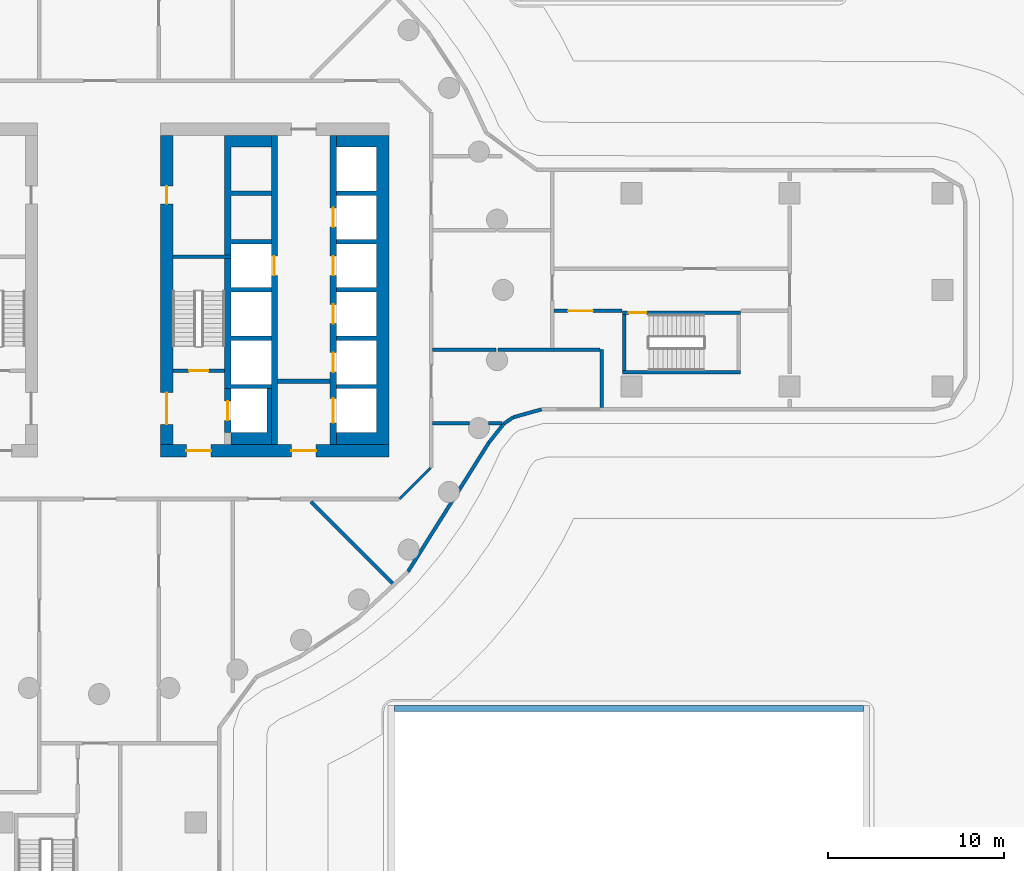
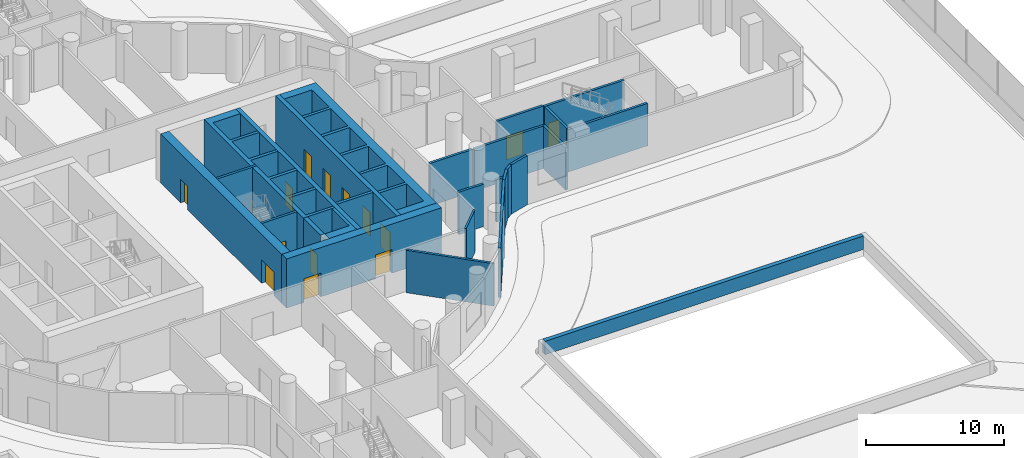
# One storey, part 25 of 37: 27 walls, 14 doors, 14 openings.
"""IFC4 building model written with IfcOpenShell, lengths in metres."""

import ifcopenshell
import ifcopenshell.guid

model = None  # the IFC model being written
_history = None  # IfcOwnerHistory: only IFC2X3 demands one
_inside = {}  # id of a spatial element -> (the spatial element, [elements in it])
_under = {}  # id of a project, library or spatial element -> (it, [spatial elements below it])
_declared = {}  # id of a project -> (the project, [libraries it declares])
_typed = {}  # id of a type object -> (the type object, [elements of that type])
_made_of = {}  # id of a material, layer set ... -> (it, [elements and type objects made of it])


def new_model(schema):
    """Start an empty IFC model of exactly this schema.

    Asked for "IFC4X3", IfcOpenShell would pick the latest addendum, in which some entities
    have other attributes; the version numbers below select the first issue.
    IFC2X3 requires an IfcOwnerHistory on every rooted entity: one is made here for all.
    """
    global model, _history
    if schema == "IFC4X3":
        model = ifcopenshell.file(schema_version=(4, 3, 0, 0))
    else:
        model = ifcopenshell.file(schema=schema)
    _inside.clear()
    _under.clear()
    _declared.clear()
    _typed.clear()
    _made_of.clear()
    _history = None
    if model.schema == "IFC2X3":
        org = make("IfcOrganization", Name="unknown")
        user = make(
            "IfcPersonAndOrganization",
            ThePerson=make("IfcPerson", FamilyName="unknown"),
            TheOrganization=org,
        )
        app = make(
            "IfcApplication",
            ApplicationDeveloper=org,
            Version="unknown",
            ApplicationFullName="unknown",
            ApplicationIdentifier="unknown",
        )
        _history = make(
            "IfcOwnerHistory",
            OwningUser=user,
            OwningApplication=app,
            ChangeAction="ADDED",
            CreationDate=0,
        )
    return model


def make(cls, **values):
    """One entity of the class cls with the attributes given. An attribute that is None is left unset."""
    return model.create_entity(
        cls, **{name: value for name, value in values.items() if value is not None}
    )


def rooted(cls, **values):
    """An entity with a GlobalId (a new one), such as an element, a storey or a relation."""
    return make(cls, GlobalId=ifcopenshell.guid.new(), OwnerHistory=_history, **values)


def si_unit(unit_type, name, prefix=None):
    """IfcSIUnit, for example si_unit("LENGTHUNIT", "METRE", prefix="MILLI")."""
    return make("IfcSIUnit", UnitType=unit_type, Prefix=prefix, Name=name)


def assignment(units):
    """IfcUnitAssignment: the units of a project."""
    return None if units is None else make("IfcUnitAssignment", Units=units)


def point(xyz):
    """IfcCartesianPoint."""
    return None if xyz is None else make("IfcCartesianPoint", Coordinates=xyz)


def direction(xyz):
    """IfcDirection."""
    return None if xyz is None else make("IfcDirection", DirectionRatios=xyz)


def frame(location, z_axis=None, x_axis=None):
    """IfcAxis2Placement3D, a coordinate frame: its origin and axes. An axis left out is left unset."""
    return make(
        "IfcAxis2Placement3D",
        Location=point(location),
        Axis=direction(z_axis),
        RefDirection=direction(x_axis),
    )


def frame_2d(location, x_axis=None):
    """IfcAxis2Placement2D, a coordinate frame in the plane: its origin and x axis."""
    return make(
        "IfcAxis2Placement2D", Location=point(location), RefDirection=direction(x_axis)
    )


def origin():
    """The frame at (0, 0, 0) with its axes left unset."""
    return frame((0.0, 0.0, 0.0))


def place(relative_to, where):
    """IfcLocalPlacement: puts the frame where relative to a parent placement (None: the world)."""
    return make(
        "IfcLocalPlacement", PlacementRelTo=relative_to, RelativePlacement=where
    )


def context(
    kind, dimensions, precision=None, world=None, true_north=None, identifier=None
):
    """IfcGeometricRepresentationContext, for example the 3D "Model" context."""
    return make(
        "IfcGeometricRepresentationContext",
        ContextIdentifier=identifier,
        ContextType=kind,
        CoordinateSpaceDimension=dimensions,
        Precision=precision,
        WorldCoordinateSystem=world,
        TrueNorth=true_north,
    )


def subcontext(parent, identifier, kind, view, scale=None):
    """IfcGeometricRepresentationSubContext, for example "Body" below "Model"."""
    return make(
        "IfcGeometricRepresentationSubContext",
        ContextIdentifier=identifier,
        ContextType=kind,
        ParentContext=parent,
        TargetScale=scale,
        TargetView=view,
    )


def project(units=None, contexts=None):
    """IfcProject with its units and contexts."""
    return rooted(
        "IfcProject",
        Name="project",
        RepresentationContexts=contexts,
        UnitsInContext=assignment(units),
    )


def spatial(cls, under=None, at=None, **own):
    """A site, building, storey or space (cls), placed at a placement, below another one or the project."""
    s = rooted(cls, ObjectPlacement=at, **own)
    if under is not None:
        _under.setdefault(under.id(), (under, []))[1].append(s)
    return s


def polyline(points):
    """IfcPolyline through the points."""
    return make("IfcPolyline", Points=[point(p) for p in points])


def profile(cls, at=None, kind="AREA", **sizes):
    """A parametric profile (cls). Its sizes go by their IFC names, for example OverallWidth=200.0."""
    return make(cls, ProfileType=kind, Position=at, **sizes)


def rectangle(**sizes):
    """IfcRectangleProfileDef."""
    return profile("IfcRectangleProfileDef", **sizes)


def outline(outer, holes=None, kind="AREA"):
    """IfcArbitraryClosedProfileDef: a profile drawn as a closed curve; with holes, ...WithVoids."""
    if holes is None:
        return make("IfcArbitraryClosedProfileDef", ProfileType=kind, OuterCurve=outer)
    return make(
        "IfcArbitraryProfileDefWithVoids",
        ProfileType=kind,
        OuterCurve=outer,
        InnerCurves=holes,
    )


def extrude(swept, where, along, depth):
    """IfcExtrudedAreaSolid: the profile swept, set in the frame where, extruded along a direction by depth."""
    return make(
        "IfcExtrudedAreaSolid",
        SweptArea=swept,
        Position=where,
        ExtrudedDirection=direction(along),
        Depth=depth,
    )


def shape(context_of_items, identifier, shape_type, items):
    """IfcShapeRepresentation: the items that make up one representation, for example the "Body"."""
    return make(
        "IfcShapeRepresentation",
        ContextOfItems=context_of_items,
        RepresentationIdentifier=identifier,
        RepresentationType=shape_type,
        Items=items,
    )


def material(Name=None, Category=None):
    """IfcMaterial."""
    return make("IfcMaterial", Name=Name, Category=Category)


def layer(
    of_material, thickness, ventilated=None, Name=None, Category=None, Priority=None
):
    """IfcMaterialLayer: one layer of a wall or slab, of a material (None: an air gap)."""
    return make(
        "IfcMaterialLayer",
        Material=of_material,
        LayerThickness=thickness,
        IsVentilated=ventilated,
        Name=Name,
        Category=Category,
        Priority=Priority,
    )


def layer_set(layers, Name=None):
    """IfcMaterialLayerSet."""
    return make("IfcMaterialLayerSet", MaterialLayers=layers, LayerSetName=Name)


def made_of(thing, what):
    """Note that an element or type object is made of a material, layer set ...; save() writes the relation."""
    if what is not None:
        _made_of.setdefault(what.id(), (what, []))[1].append(thing)
    return thing


def type_object(cls, material=None, **own):
    """A type object (cls), such as IfcWallType, which elements share."""
    return made_of(rooted(cls, **own), material)


def element(
    cls,
    number,
    at=None,
    inside=None,
    cuts=None,
    type_object=None,
    material=None,
    context=None,
    identifier="Body",
    shape_type=None,
    held_by="IfcProductDefinitionShape",
    body=None,
    shapes=None,
    **own,
):
    """One element of the class cls, such as IfcWall. Its Tag is "e" and its number.

    at: its placement. inside: the storey or other place that contains it. cuts: it is an
    opening in that element (IfcRelVoidsElement). A single representation is given by context,
    identifier, shape_type and body (its items); several are given by shapes. held_by: the class
    of the entity that holds the representations. save() writes the other relations.
    """
    e = rooted(cls, Tag="e%d" % number, ObjectPlacement=at, **own)
    if body is not None:
        shapes = [shape(context, identifier, shape_type, body)]
    if shapes is not None:
        e.Representation = make(held_by, Representations=shapes)
    if inside is not None:
        _inside.setdefault(inside.id(), (inside, []))[1].append(e)
    if cuts is not None:
        rooted(
            "IfcRelVoidsElement", RelatingBuildingElement=cuts, RelatedOpeningElement=e
        )
    if type_object is not None:
        _typed.setdefault(type_object.id(), (type_object, []))[1].append(e)
    return made_of(e, material)


def fill(opening, filler):
    """IfcRelFillsElement: the door or window that sits in an opening."""
    return rooted(
        "IfcRelFillsElement",
        RelatingOpeningElement=opening,
        RelatedBuildingElement=filler,
    )


def aggregate(whole, parts):
    """IfcRelAggregates: a whole, such as a stair, and the parts it consists of."""
    return rooted("IfcRelAggregates", RelatingObject=whole, RelatedObjects=parts)


def save(model, path):
    """Write the relations noted so far, then the file.

    IfcRelAggregates (storeys below a building ...), IfcRelContainedInSpatialStructure (elements
    in a storey), IfcRelDefinesByType, IfcRelAssociatesMaterial and IfcRelDeclares: one each for
    every whole, place, type object, material and project.
    """
    for whole, parts in _under.values():
        aggregate(whole, parts)
    for where, things in _inside.values():
        rooted(
            "IfcRelContainedInSpatialStructure",
            RelatedElements=things,
            RelatingStructure=where,
        )
    for kind, things in _typed.values():
        rooted("IfcRelDefinesByType", RelatedObjects=things, RelatingType=kind)
    for what, things in _made_of.values():
        rooted("IfcRelAssociatesMaterial", RelatedObjects=things, RelatingMaterial=what)
    for by, libraries in _declared.values():
        rooted("IfcRelDeclares", RelatingContext=by, RelatedDefinitions=libraries)
    model.write(path)


model = new_model("IFC4")

# Units and contexts
model_context = context("Model", 3, precision=1e-05, world=origin(), true_north=direction((0.0, 1.0)))
body_context = subcontext(model_context, "Body", "Model", "MODEL_VIEW")
ifc_project = project(units=[si_unit("LENGTHUNIT", "METRE"), si_unit("AREAUNIT", "SQUARE_METRE"), si_unit("VOLUMEUNIT", "CUBIC_METRE"), si_unit("PLANEANGLEUNIT", "RADIAN"), si_unit("MASSUNIT", "GRAM", prefix="KILO")], contexts=[model_context])

# Site, building, storey
site_placement = place(None, origin())
site = spatial("IfcSite", under=ifc_project, at=site_placement, CompositionType="ELEMENT")
building_placement = place(site_placement, origin())
building = spatial("IfcBuilding", under=site, at=building_placement, Name="Tamarind Cross Interchange Tower", CompositionType="ELEMENT")
storey_placement = place(building_placement, frame((0.0, 0.0, 29.5)))
storey = spatial("IfcBuildingStorey", under=building, at=storey_placement, Name="L05", CompositionType="ELEMENT", Elevation=29.5)

# Wall, openings, doors
ifc_material_1 = material(Name="Concrete C80", Category="concrete")
ifc_layer_1 = layer(ifc_material_1, 0.699951171875)
ifc_layer_set_1 = layer_set([ifc_layer_1], Name="Concrete C80")
wall_type_1 = type_object("IfcWallType", Name="Core wall 700 mm Concrete C80", PredefinedType="SHEAR", material=ifc_layer_set_1)
wall_1_placement = place(storey_placement, frame((16.5, -9.14990234375, 0.0), z_axis=(0.0, 0.0, 1.0), x_axis=(-1.0, 0.0, 0.0)))
wall_1 = element("IfcWall", 1, at=wall_1_placement, inside=storey, type_object=wall_type_1, Name="Core wall CWL-L05-E-S", PredefinedType="SHEAR", context=body_context, shape_type="SweptSolid", body=[
    extrude(rectangle(XDim=13.0, YDim=0.699951171875, at=frame_2d((6.5, 0.0))), origin(), (0.0, 0.0, 1.0), 4.360107421875),
])
opening_1_placement = place(wall_1_placement, frame((4.14990234375, 0.0, 0.0)))
opening_1 = element("IfcOpeningElement", 2, at=opening_1_placement, cuts=wall_1, Name="Opening DCE1", PredefinedType="OPENING", context=body_context, shape_type="SweptSolid", body=[
    extrude(rectangle(XDim=1.39990234375, YDim=2.10009765625, at=frame_2d((0.699951171875, 1.050048828125))), frame((0.0, 0.35986328125, 0.0), z_axis=(0.0, -1.0, 0.0), x_axis=(1.0, 0.0, 0.0)), (0.0, 0.0, 1.0), 0.719970703125),
])
opening_2_placement = place(wall_1_placement, frame((10.125, 0.0, 0.0)))
opening_2 = element("IfcOpeningElement", 3, at=opening_2_placement, cuts=wall_1, Name="Opening DCEF", PredefinedType="OPENING", context=body_context, shape_type="SweptSolid", body=[
    extrude(rectangle(XDim=1.39990234375, YDim=2.10009765625, at=frame_2d((0.699951171875, 1.050048828125))), frame((0.0, 0.35986328125, 0.0), z_axis=(0.0, -1.0, 0.0), x_axis=(1.0, 0.0, 0.0)), (0.0, 0.0, 1.0), 0.719970703125),
])
ifc_material_2 = material(Name="Steel, fire-resisting", Category="steel")
door_type_1 = type_object("IfcDoorType", Name="Core fire door 1400 x 2100 FD90", OperationType="SINGLE_SWING_LEFT", PredefinedType="DOOR", material=ifc_material_2)
door_1_placement = place(opening_1_placement, origin())
door_1 = element("IfcDoor", 4, at=door_1_placement, inside=storey, type_object=door_type_1, Name="L05 lift lobby door", OperationType="SINGLE_SWING_LEFT", OverallHeight=2.10009765625, OverallWidth=1.39990234375, PredefinedType="DOOR", context=body_context, shape_type="SweptSolid", body=[
    extrude(rectangle(XDim=1.39990234375, YDim=2.10009765625, at=frame_2d((0.699951171875, 1.050048828125))), frame((0.0, 0.02490234375, 0.0), z_axis=(0.0, -1.0, 0.0), x_axis=(1.0, 0.0, 0.0)), (0.0, 0.0, 1.0), 0.050048828125),
])
fill(opening_1, door_1)
door_2_placement = place(opening_2_placement, origin())
door_2 = element("IfcDoor", 5, at=door_2_placement, inside=storey, type_object=door_type_1, Name="L05 firefighting lobby end door", OperationType="SINGLE_SWING_LEFT", OverallHeight=2.10009765625, OverallWidth=1.39990234375, PredefinedType="DOOR", context=body_context, shape_type="SweptSolid", body=[
    extrude(rectangle(XDim=1.39990234375, YDim=2.10009765625, at=frame_2d((0.699951171875, 1.050048828125))), frame((0.0, 0.02490234375, 0.0), z_axis=(0.0, -1.0, 0.0), x_axis=(1.0, 0.0, 0.0)), (0.0, 0.0, 1.0), 0.050048828125),
])
fill(opening_2, door_2)

# Wall
wall_2_placement = place(storey_placement, origin())
element("IfcWall", 6, at=wall_2_placement, inside=storey, type_object=wall_type_1, Name="Core wall CWL-L05-E-A", PredefinedType="SHEAR", context=body_context, shape_type="SweptSolid", body=[
    extrude(outline(polyline([(13.5, -8.800048828125), (15.800048828125, -8.800048828125), (16.5, -8.800048828125), (16.5, 8.800048828125), (15.800048828125, 8.800048828125), (13.5, 8.800048828125), (13.5, 8.125), (15.800048828125, 8.125), (15.800048828125, 5.625), (13.5, 5.625), (13.5, 5.375), (15.800048828125, 5.375), (15.800048828125, 2.875), (13.5, 2.875), (13.5, 2.625), (15.800048828125, 2.625), (15.800048828125, 0.125), (13.5, 0.125), (13.5, -0.125), (15.800048828125, -0.125), (15.800048828125, -2.625), (13.5, -2.625), (13.5, -2.875), (15.800048828125, -2.875), (15.800048828125, -5.375), (13.5, -5.375), (13.5, -5.625), (15.800048828125, -5.625), (15.800048828125, -8.125), (13.5, -8.125), (13.5, -8.800048828125)])), origin(), (0.0, 0.0, 1.0), 4.360107421875),
])

# Wall, openings, doors
wall_3_placement = place(storey_placement, frame((3.85009765625, -8.800048828125, 0.0), z_axis=(0.0, 0.0, 1.0), x_axis=(0.0, 1.0, 0.0)))
wall_3 = element("IfcWall", 7, at=wall_3_placement, inside=storey, type_object=wall_type_1, Name="Core wall CWL-L05-E-IN", PredefinedType="SHEAR", context=body_context, shape_type="SweptSolid", body=[
    extrude(rectangle(XDim=17.60009765625, YDim=0.699951171875, at=frame_2d((8.800048828125, 0.0))), origin(), (0.0, 0.0, 1.0), 4.360107421875),
])
opening_3_placement = place(wall_3_placement, frame((1.14990234375, 0.0, 0.0)))
opening_3 = element("IfcOpeningElement", 8, at=opening_3_placement, cuts=wall_3, Name="Opening DCE4", PredefinedType="OPENING", context=body_context, shape_type="SweptSolid", body=[
    extrude(rectangle(XDim=1.800048828125, YDim=2.10009765625, at=frame_2d((0.89990234375, 1.050048828125))), frame((0.0, 0.35986328125, 0.0), z_axis=(0.0, -1.0, 0.0), x_axis=(1.0, 0.0, 0.0)), (0.0, 0.0, 1.0), 0.719970703125),
])
opening_4_placement = place(wall_3_placement, frame((13.699951171875, 0.0, 0.0)))
opening_4 = element("IfcOpeningElement", 9, at=opening_4_placement, cuts=wall_3, Name="Opening DCE5", PredefinedType="OPENING", context=body_context, shape_type="SweptSolid", body=[
    extrude(rectangle(XDim=1.0, YDim=2.10009765625, at=frame_2d((0.5, 1.050048828125))), frame((0.0, 0.35986328125, 0.0), z_axis=(0.0, -1.0, 0.0), x_axis=(1.0, 0.0, 0.0)), (0.0, 0.0, 1.0), 0.719970703125),
])
door_type_2 = type_object("IfcDoorType", Name="Core fire door 1000 x 2100 FD90", OperationType="SINGLE_SWING_LEFT", PredefinedType="DOOR", material=ifc_material_2)
door_3_placement = place(opening_4_placement, origin())
door_3 = element("IfcDoor", 10, at=door_3_placement, inside=storey, type_object=door_type_2, Name="L05 riser room door", OperationType="SINGLE_SWING_LEFT", OverallHeight=2.10009765625, OverallWidth=1.0, PredefinedType="DOOR", context=body_context, shape_type="SweptSolid", body=[
    extrude(rectangle(XDim=1.0, YDim=2.10009765625, at=frame_2d((0.5, 1.050048828125))), frame((0.0, 0.02490234375, 0.0), z_axis=(0.0, -1.0, 0.0), x_axis=(1.0, 0.0, 0.0)), (0.0, 0.0, 1.0), 0.050048828125),
])
fill(opening_4, door_3)
door_type_3 = type_object("IfcDoorType", Name="Core fire door 1800 x 2100 FD90", OperationType="SINGLE_SWING_LEFT", PredefinedType="DOOR", material=ifc_material_2)
door_4_placement = place(opening_3_placement, origin())
door_4 = element("IfcDoor", 11, at=door_4_placement, inside=storey, type_object=door_type_3, Name="L05 firefighting lobby door", OperationType="SINGLE_SWING_LEFT", OverallHeight=2.10009765625, OverallWidth=1.800048828125, PredefinedType="DOOR", context=body_context, shape_type="SweptSolid", body=[
    extrude(rectangle(XDim=1.800048828125, YDim=2.10009765625, at=frame_2d((0.89990234375, 1.050048828125))), frame((0.0, 0.02490234375, 0.0), z_axis=(0.0, -1.0, 0.0), x_axis=(1.0, 0.0, 0.0)), (0.0, 0.0, 1.0), 0.050048828125),
])
fill(opening_3, door_4)

# Walls
ifc_layer_2 = layer(ifc_material_1, 0.199951171875)
ifc_layer_set_2 = layer_set([ifc_layer_2], Name="Concrete C80")
wall_type_2 = type_object("IfcWallType", Name="Core web wall 200 mm Concrete C80", PredefinedType="SHEAR", material=ifc_layer_set_2)
wall_4_placement = place(storey_placement, frame((7.5, 1.89990234375, 0.0), z_axis=(0.0, 0.0, 1.0), x_axis=(-1.0, 0.0, 0.0)))
element("IfcWall", 12, at=wall_4_placement, inside=storey, type_object=wall_type_2, Name="Core wall CWL-L05-E-BD", PredefinedType="SHEAR", context=body_context, shape_type="SweptSolid", body=[
    extrude(rectangle(XDim=3.300048828125, YDim=0.199951171875, at=frame_2d((1.64990234375, 0.0))), origin(), (0.0, 0.0, 1.0), 4.360107421875),
])
ifc_layer_3 = layer(ifc_material_1, 0.35009765625)
ifc_layer_set_3 = layer_set([ifc_layer_3], Name="Concrete C80")
wall_type_3 = type_object("IfcWallType", Name="Core web wall 350 mm Concrete C80", PredefinedType="SHEAR", material=ifc_layer_set_3)
wall_5_placement = place(storey_placement, origin())
element("IfcWall", 13, at=wall_5_placement, inside=storey, type_object=wall_type_3, Name="Core wall CWL-L05-E-BN", PredefinedType="SHEAR", context=body_context, shape_type="SweptSolid", body=[
    extrude(outline(polyline([(9.800048828125, -5.375), (7.5, -5.375), (7.5, -2.875), (9.800048828125, -2.875), (9.800048828125, -2.625), (7.5, -2.625), (7.5, -0.125), (9.800048828125, -0.125), (9.800048828125, 0.125), (7.5, 0.125), (7.5, 2.625), (9.800048828125, 2.625), (9.800048828125, 2.875), (7.5, 2.875), (7.5, 5.375), (9.800048828125, 5.375), (9.800048828125, 5.625), (7.5, 5.625), (7.5, 8.125), (9.800048828125, 8.125), (9.800048828125, 8.800048828125), (7.5, 8.800048828125), (7.14990234375, 8.800048828125), (7.14990234375, -5.625), (7.5, -5.625), (9.800048828125, -5.625), (9.800048828125, -5.375)])), origin(), (0.0, 0.0, 1.0), 4.360107421875),
])
wall_6_placement = place(storey_placement, origin())
element("IfcWall", 14, at=wall_6_placement, inside=storey, type_object=wall_type_3, Name="Core wall CWL-L05-E-BS", PredefinedType="SHEAR", context=body_context, shape_type="SweptSolid", body=[
    extrude(outline(polyline([(7.5, -8.125), (7.5, -8.800048828125), (9.800048828125, -8.800048828125), (9.800048828125, -8.125), (9.800048828125, -5.625), (9.550048828125, -5.625), (9.550048828125, -8.125), (7.5, -8.125)])), origin(), (0.0, 0.0, 1.0), 4.360107421875),
])

# Wall, openings, doors
wall_7_placement = place(storey_placement, frame((13.324951171875, -8.800048828125, 0.0), z_axis=(0.0, 0.0, 1.0), x_axis=(0.0, 1.0, 0.0)))
wall_7 = element("IfcWall", 15, at=wall_7_placement, inside=storey, type_object=wall_type_3, Name="Core wall CWL-L05-E-LA", PredefinedType="SHEAR", context=body_context, shape_type="SweptSolid", body=[
    extrude(rectangle(XDim=17.60009765625, YDim=0.35009765625, at=frame_2d((8.800048828125, 0.0))), origin(), (0.0, 0.0, 1.0), 4.360107421875),
])
opening_5_placement = place(wall_7_placement, frame((1.22509765625, 0.0, 0.0)))
opening_5 = element("IfcOpeningElement", 16, at=opening_5_placement, cuts=wall_7, Name="Opening LD13L05", PredefinedType="OPENING", context=body_context, shape_type="SweptSolid", body=[
    extrude(rectangle(XDim=1.39990234375, YDim=2.10009765625, at=frame_2d((0.699951171875, 1.050048828125))), frame((0.0, 0.18505859375, 0.0), z_axis=(0.0, -1.0, 0.0), x_axis=(1.0, 0.0, 0.0)), (0.0, 0.0, 1.0), 0.3701171875),
])
opening_6_placement = place(wall_7_placement, frame((4.125, 0.0, 0.0)))
opening_6 = element("IfcOpeningElement", 17, at=opening_6_placement, cuts=wall_7, Name="Opening LD14L05", PredefinedType="OPENING", context=body_context, shape_type="SweptSolid", body=[
    extrude(rectangle(XDim=1.10009765625, YDim=2.10009765625, at=frame_2d((0.550048828125, 1.050048828125))), frame((0.0, 0.18505859375, 0.0), z_axis=(0.0, -1.0, 0.0), x_axis=(1.0, 0.0, 0.0)), (0.0, 0.0, 1.0), 0.3701171875),
])
opening_7_placement = place(wall_7_placement, frame((6.875, 0.0, 0.0)))
opening_7 = element("IfcOpeningElement", 18, at=opening_7_placement, cuts=wall_7, Name="Opening LD15L05", PredefinedType="OPENING", context=body_context, shape_type="SweptSolid", body=[
    extrude(rectangle(XDim=1.10009765625, YDim=2.10009765625, at=frame_2d((0.550048828125, 1.050048828125))), frame((0.0, 0.18505859375, 0.0), z_axis=(0.0, -1.0, 0.0), x_axis=(1.0, 0.0, 0.0)), (0.0, 0.0, 1.0), 0.3701171875),
])
opening_8_placement = place(wall_7_placement, frame((9.625, 0.0, 0.0)))
opening_8 = element("IfcOpeningElement", 19, at=opening_8_placement, cuts=wall_7, Name="Opening LD16L05", PredefinedType="OPENING", context=body_context, shape_type="SweptSolid", body=[
    extrude(rectangle(XDim=1.10009765625, YDim=2.10009765625, at=frame_2d((0.550048828125, 1.050048828125))), frame((0.0, 0.18505859375, 0.0), z_axis=(0.0, -1.0, 0.0), x_axis=(1.0, 0.0, 0.0)), (0.0, 0.0, 1.0), 0.3701171875),
])
opening_9_placement = place(wall_7_placement, frame((12.375, 0.0, 0.0)))
opening_9 = element("IfcOpeningElement", 20, at=opening_9_placement, cuts=wall_7, Name="Opening LD17L05", PredefinedType="OPENING", context=body_context, shape_type="SweptSolid", body=[
    extrude(rectangle(XDim=1.10009765625, YDim=2.10009765625, at=frame_2d((0.550048828125, 1.050048828125))), frame((0.0, 0.18505859375, 0.0), z_axis=(0.0, -1.0, 0.0), x_axis=(1.0, 0.0, 0.0)), (0.0, 0.0, 1.0), 0.3701171875),
])
ifc_material_3 = material(Name="Stainless steel panel", Category="steel")
door_type_4 = type_object("IfcDoorType", Name="Lift landing door 1100 x 2100 E 120", OperationType="SLIDING_TO_LEFT", PredefinedType="DOOR", material=ifc_material_3)
door_5_placement = place(opening_6_placement, origin())
door_5 = element("IfcDoor", 21, at=door_5_placement, inside=storey, type_object=door_type_4, Name="L05 landing door LF14", OperationType="SLIDING_TO_LEFT", OverallHeight=2.10009765625, OverallWidth=1.10009765625, PredefinedType="DOOR", context=body_context, shape_type="SweptSolid", body=[
    extrude(rectangle(XDim=1.10009765625, YDim=2.10009765625, at=frame_2d((0.550048828125, 1.050048828125))), frame((0.0, 0.02490234375, 0.0), z_axis=(0.0, -1.0, 0.0), x_axis=(1.0, 0.0, 0.0)), (0.0, 0.0, 1.0), 0.050048828125),
])
fill(opening_6, door_5)
door_6_placement = place(opening_7_placement, origin())
door_6 = element("IfcDoor", 22, at=door_6_placement, inside=storey, type_object=door_type_4, Name="L05 landing door LF15", OperationType="SLIDING_TO_LEFT", OverallHeight=2.10009765625, OverallWidth=1.10009765625, PredefinedType="DOOR", context=body_context, shape_type="SweptSolid", body=[
    extrude(rectangle(XDim=1.10009765625, YDim=2.10009765625, at=frame_2d((0.550048828125, 1.050048828125))), frame((0.0, 0.02490234375, 0.0), z_axis=(0.0, -1.0, 0.0), x_axis=(1.0, 0.0, 0.0)), (0.0, 0.0, 1.0), 0.050048828125),
])
fill(opening_7, door_6)
door_7_placement = place(opening_8_placement, origin())
door_7 = element("IfcDoor", 23, at=door_7_placement, inside=storey, type_object=door_type_4, Name="L05 landing door LF16", OperationType="SLIDING_TO_LEFT", OverallHeight=2.10009765625, OverallWidth=1.10009765625, PredefinedType="DOOR", context=body_context, shape_type="SweptSolid", body=[
    extrude(rectangle(XDim=1.10009765625, YDim=2.10009765625, at=frame_2d((0.550048828125, 1.050048828125))), frame((0.0, 0.02490234375, 0.0), z_axis=(0.0, -1.0, 0.0), x_axis=(1.0, 0.0, 0.0)), (0.0, 0.0, 1.0), 0.050048828125),
])
fill(opening_8, door_7)
door_8_placement = place(opening_9_placement, origin())
door_8 = element("IfcDoor", 24, at=door_8_placement, inside=storey, type_object=door_type_4, Name="L05 landing door LF17", OperationType="SLIDING_TO_LEFT", OverallHeight=2.10009765625, OverallWidth=1.10009765625, PredefinedType="DOOR", context=body_context, shape_type="SweptSolid", body=[
    extrude(rectangle(XDim=1.10009765625, YDim=2.10009765625, at=frame_2d((0.550048828125, 1.050048828125))), frame((0.0, 0.02490234375, 0.0), z_axis=(0.0, -1.0, 0.0), x_axis=(1.0, 0.0, 0.0)), (0.0, 0.0, 1.0), 0.050048828125),
])
fill(opening_9, door_8)
door_type_5 = type_object("IfcDoorType", Name="Lift landing door 1400 x 2100 E 120", OperationType="SLIDING_TO_LEFT", PredefinedType="DOOR", material=ifc_material_3)
door_9_placement = place(opening_5_placement, origin())
door_9 = element("IfcDoor", 25, at=door_9_placement, inside=storey, type_object=door_type_5, Name="L05 landing door LF13", OperationType="SLIDING_TO_LEFT", OverallHeight=2.10009765625, OverallWidth=1.39990234375, PredefinedType="DOOR", context=body_context, shape_type="SweptSolid", body=[
    extrude(rectangle(XDim=1.39990234375, YDim=2.10009765625, at=frame_2d((0.699951171875, 1.050048828125))), frame((0.0, 0.02490234375, 0.0), z_axis=(0.0, -1.0, 0.0), x_axis=(1.0, 0.0, 0.0)), (0.0, 0.0, 1.0), 0.050048828125),
])
fill(opening_5, door_9)

# Wall, opening, door
wall_8_placement = place(storey_placement, frame((9.97509765625, -8.800048828125, 0.0), z_axis=(0.0, 0.0, 1.0), x_axis=(0.0, 1.0, 0.0)))
wall_8 = element("IfcWall", 26, at=wall_8_placement, inside=storey, type_object=wall_type_3, Name="Core wall CWL-L05-E-LB", PredefinedType="SHEAR", context=body_context, shape_type="SweptSolid", body=[
    extrude(rectangle(XDim=17.60009765625, YDim=0.35009765625, at=frame_2d((8.800048828125, 0.0))), origin(), (0.0, 0.0, 1.0), 4.360107421875),
])
opening_10_placement = place(wall_8_placement, frame((9.625, 0.0, 0.0)))
opening_10 = element("IfcOpeningElement", 27, at=opening_10_placement, cuts=wall_8, Name="Opening LD22L05", PredefinedType="OPENING", context=body_context, shape_type="SweptSolid", body=[
    extrude(rectangle(XDim=1.10009765625, YDim=2.10009765625, at=frame_2d((0.550048828125, 1.050048828125))), frame((0.0, 0.18505859375, 0.0), z_axis=(0.0, -1.0, 0.0), x_axis=(1.0, 0.0, 0.0)), (0.0, 0.0, 1.0), 0.3701171875),
])
door_10_placement = place(opening_10_placement, origin())
door_10 = element("IfcDoor", 28, at=door_10_placement, inside=storey, type_object=door_type_4, Name="L05 landing door LF22", OperationType="SLIDING_TO_LEFT", OverallHeight=2.10009765625, OverallWidth=1.10009765625, PredefinedType="DOOR", context=body_context, shape_type="SweptSolid", body=[
    extrude(rectangle(XDim=1.10009765625, YDim=2.10009765625, at=frame_2d((0.550048828125, 1.050048828125))), frame((0.0, 0.02490234375, 0.0), z_axis=(0.0, -1.0, 0.0), x_axis=(1.0, 0.0, 0.0)), (0.0, 0.0, 1.0), 0.050048828125),
])
fill(opening_10, door_10)

wall_9_placement = place(storey_placement, frame((7.324951171875, -8.125, 0.0), z_axis=(0.0, 0.0, 1.0), x_axis=(0.0, 1.0, 0.0)))
wall_9 = element("IfcWall", 29, at=wall_9_placement, inside=storey, type_object=wall_type_3, Name="Core wall CWL-L05-E-FF", PredefinedType="SHEAR", context=body_context, shape_type="SweptSolid", body=[
    extrude(rectangle(XDim=2.5, YDim=0.35009765625, at=frame_2d((1.25, 0.0))), origin(), (0.0, 0.0, 1.0), 4.360107421875),
])
opening_11_placement = place(wall_9_placement, frame((0.699951171875, 0.0, 0.0)))
opening_11 = element("IfcOpeningElement", 30, at=opening_11_placement, cuts=wall_9, Name="Opening LD19L05", PredefinedType="OPENING", context=body_context, shape_type="SweptSolid", body=[
    extrude(rectangle(XDim=1.10009765625, YDim=2.10009765625, at=frame_2d((0.550048828125, 1.050048828125))), frame((0.0, 0.18505859375, 0.0), z_axis=(0.0, -1.0, 0.0), x_axis=(1.0, 0.0, 0.0)), (0.0, 0.0, 1.0), 0.3701171875),
])
door_11_placement = place(opening_11_placement, origin())
door_11 = element("IfcDoor", 31, at=door_11_placement, inside=storey, type_object=door_type_4, Name="L05 landing door LF19", OperationType="SLIDING_TO_LEFT", OverallHeight=2.10009765625, OverallWidth=1.10009765625, PredefinedType="DOOR", context=body_context, shape_type="SweptSolid", body=[
    extrude(rectangle(XDim=1.10009765625, YDim=2.10009765625, at=frame_2d((0.550048828125, 1.050048828125))), frame((0.0, 0.02490234375, 0.0), z_axis=(0.0, -1.0, 0.0), x_axis=(1.0, 0.0, 0.0)), (0.0, 0.0, 1.0), 0.050048828125),
])
fill(opening_11, door_11)

# Walls
ifc_material_4 = material(Name="Gypsum board partition on steel studs", Category="steel")
ifc_layer_4 = layer(ifc_material_4, 0.14990234375)
ifc_layer_set_4 = layer_set([ifc_layer_4], Name="Gypsum board partition on steel studs")
wall_type_4 = type_object("IfcWallType", Name="Partition 150 mm EI 120", PredefinedType="PARTITIONING", material=ifc_layer_set_4)
wall_10_placement = place(storey_placement, frame((17.10009765625, -11.89990234375, 0.0), z_axis=(0.0, 0.0, 1.0), x_axis=(0.707106781187, 0.707106781187, 0.0)))
element("IfcWall", 32, at=wall_10_placement, inside=storey, type_object=wall_type_4, Name="Partition L05-047", PredefinedType="PARTITIONING", context=body_context, shape_type="SweptSolid", body=[
    extrude(rectangle(XDim=2.495361328125, YDim=0.14990234375, at=frame_2d((1.24755859375, 0.0))), origin(), (0.0, 0.0, 1.0), 3.760009765625),
])
ifc_layer_5 = layer(ifc_material_4, 0.199951171875)
ifc_layer_set_5 = layer_set([ifc_layer_5], Name="Gypsum board partition on steel studs")
wall_type_5 = type_object("IfcWallType", Name="Partition 200 mm EI 180", PredefinedType="PARTITIONING", material=ifc_layer_set_5)
wall_11_placement = place(storey_placement, frame((12.052001953125, -12.052001953125, 0.0), z_axis=(0.0, 0.0, 1.0), x_axis=(0.707106781187, -0.707106781187, 0.0)))
element("IfcWall", 33, at=wall_11_placement, inside=storey, type_object=wall_type_5, Name="Partition L05-003", PredefinedType="PARTITIONING", context=body_context, shape_type="SweptSolid", body=[
    extrude(rectangle(XDim=6.630615234375, YDim=0.199951171875, at=frame_2d((3.3154296875, 0.0))), origin(), (0.0, 0.0, 1.0), 3.760009765625),
])

# Wall, opening, door
wall_12_placement = place(storey_placement, frame((25.885009765625, -1.199951171875, 0.0), z_axis=(0.0, 0.0, 1.0), x_axis=(1.0, 0.0, 0.0)))
wall_12 = element("IfcWall", 34, at=wall_12_placement, inside=storey, type_object=wall_type_5, Name="Partition L05-006", PredefinedType="PARTITIONING", context=body_context, shape_type="SweptSolid", body=[
    extrude(rectangle(XDim=3.875, YDim=0.199951171875, at=frame_2d((1.9375, 0.0))), origin(), (0.0, 0.0, 1.0), 3.760009765625),
])
opening_12_placement = place(wall_12_placement, frame((0.81494140625, 0.0, 0.0)))
opening_12 = element("IfcOpeningElement", 35, at=opening_12_placement, cuts=wall_12, Name="Opening D02", PredefinedType="OPENING", context=body_context, shape_type="SweptSolid", body=[
    extrude(rectangle(XDim=1.39990234375, YDim=2.10009765625, at=frame_2d((0.699951171875, 1.050048828125))), frame((0.0, 0.10986328125, 0.0), z_axis=(0.0, -1.0, 0.0), x_axis=(1.0, 0.0, 0.0)), (0.0, 0.0, 1.0), 0.219970703125),
])
ifc_material_5 = material(Name="Fire-resisting door set")
door_type_6 = type_object("IfcDoorType", Name="Interior door 1400 x 2100 FD120S", OperationType="DOUBLE_DOOR_SINGLE_SWING", PredefinedType="DOOR", material=ifc_material_5)
door_12_placement = place(opening_12_placement, frame((1.39990234375, 0.0, 0.0), z_axis=(0.0, 0.0, 1.0), x_axis=(-1.0, 0.0, 0.0)))
door_12 = element("IfcDoor", 36, at=door_12_placement, inside=storey, type_object=door_type_6, Name="Door D02", OperationType="DOUBLE_DOOR_SINGLE_SWING", OverallHeight=2.10009765625, OverallWidth=1.39990234375, PredefinedType="DOOR", context=body_context, shape_type="SweptSolid", body=[
    extrude(rectangle(XDim=1.39990234375, YDim=2.10009765625, at=frame_2d((0.699951171875, 1.050048828125))), frame((0.0, 0.02490234375, 0.0), z_axis=(0.0, -1.0, 0.0), x_axis=(1.0, 0.0, 0.0)), (0.0, 0.0, 1.0), 0.050048828125),
])
fill(opening_12, door_12)

# Walls
wall_13_placement = place(storey_placement, frame((18.985107421875, -3.39990234375, 0.0), z_axis=(0.0, 0.0, 1.0), x_axis=(1.0, 0.0, 0.0)))
element("IfcWall", 37, at=wall_13_placement, inside=storey, type_object=wall_type_5, Name="Partition L05-017", PredefinedType="PARTITIONING", context=body_context, shape_type="SweptSolid", body=[
    extrude(rectangle(XDim=3.60546875, YDim=0.199951171875, at=frame_2d((1.802734375, 0.0))), origin(), (0.0, 0.0, 1.0), 3.760009765625),
])
wall_14_placement = place(storey_placement, frame((22.710693359375, -3.39990234375, 0.0), z_axis=(0.0, 0.0, 1.0), x_axis=(1.0, 0.0, 0.0)))
element("IfcWall", 38, at=wall_14_placement, inside=storey, type_object=wall_type_5, Name="Partition L05-018", PredefinedType="PARTITIONING", context=body_context, shape_type="SweptSolid", body=[
    extrude(rectangle(XDim=5.80419921875, YDim=0.199951171875, at=frame_2d((2.902099609375, 0.0))), origin(), (0.0, 0.0, 1.0), 3.760009765625),
])
wall_15_placement = place(storey_placement, frame((18.985107421875, -7.60009765625, 0.0), z_axis=(0.0, 0.0, 1.0), x_axis=(1.0, 0.0, 0.0)))
element("IfcWall", 39, at=wall_15_placement, inside=storey, type_object=wall_type_5, Name="Partition L05-021", PredefinedType="PARTITIONING", context=body_context, shape_type="SweptSolid", body=[
    extrude(rectangle(XDim=2.089111328125, YDim=0.199951171875, at=frame_2d((1.04443359375, 0.0))), origin(), (0.0, 0.0, 1.0), 3.760009765625),
])
wall_16_placement = place(storey_placement, frame((22.151611328125, -7.60009765625, 0.0), z_axis=(0.0, 0.0, 1.0), x_axis=(1.0, 0.0, 0.0)))
element("IfcWall", 40, at=wall_16_placement, inside=storey, type_object=wall_type_5, Name="Partition L05-022", PredefinedType="PARTITIONING", context=body_context, shape_type="SweptSolid", body=[
    extrude(rectangle(XDim=0.76904296875, YDim=0.199951171875, at=frame_2d((0.384521484375, 0.0))), origin(), (0.0, 0.0, 1.0), 3.760009765625),
])
wall_17_placement = place(storey_placement, frame((28.60009765625, -6.698974609375, 0.0), z_axis=(0.0, 0.0, 1.0), x_axis=(0.0, 1.0, 0.0)))
element("IfcWall", 41, at=wall_17_placement, inside=storey, type_object=wall_type_5, Name="Partition L05-078", PredefinedType="PARTITIONING", context=body_context, shape_type="SweptSolid", body=[
    extrude(rectangle(XDim=3.299072265625, YDim=0.199951171875, at=frame_2d((1.6494140625, 0.0))), origin(), (0.0, 0.0, 1.0), 3.760009765625),
])
ifc_material_6 = material(Name="Precast concrete C40", Category="concrete")
ifc_layer_6 = layer(ifc_material_6, 0.35009765625)
ifc_layer_set_6 = layer_set([ifc_layer_6], Name="Precast concrete C40")
wall_type_6 = type_object("IfcWallType", Name="Podium facade wall", PredefinedType="SOLIDWALL", material=ifc_layer_set_6)
wall_18_placement = place(storey_placement, frame((16.800048828125, -23.824951171875, 0.0), z_axis=(0.0, 0.0, 1.0), x_axis=(1.0, 0.0, 0.0)))
element("IfcWall", 42, at=wall_18_placement, inside=storey, type_object=wall_type_6, Name="CTW-L05-SEN00", PredefinedType="SOLIDWALL", context=body_context, shape_type="SweptSolid", body=[
    extrude(rectangle(XDim=26.699951171875, YDim=0.35009765625, at=frame_2d((13.35009765625, 0.0))), origin(), (0.0, 0.0, 1.0), 1.199951171875),
])
ifc_layer_7 = layer(ifc_material_6, 0.199951171875)
ifc_layer_set_7 = layer_set([ifc_layer_7], Name="Precast concrete C40")
wall_type_7 = type_object("IfcWallType", Name="Refuge level external wall", PredefinedType="SOLIDWALL", material=ifc_layer_set_7)
wall_19_placement = place(storey_placement, frame((17.576416015625, -16.041015625, 0.0), z_axis=(0.0, 0.0, 1.0), x_axis=(0.531032707885, 0.847351322154, 0.0)))
element("IfcWall", 43, at=wall_19_placement, inside=storey, type_object=wall_type_7, Name="RFW-L05-07-4", PredefinedType="SOLIDWALL", context=body_context, shape_type="SweptSolid", body=[
    extrude(rectangle(XDim=8.67919921875, YDim=0.199951171875, at=frame_2d((4.339599609375, 0.0))), origin(), (0.0, 0.0, 1.0), 4.360107421875),
])
wall_20_placement = place(storey_placement, frame((22.185302734375, -8.686767578125, 0.0), z_axis=(0.0, 0.0, 1.0), x_axis=(0.62233065952, 0.782754463559, 0.0)))
element("IfcWall", 44, at=wall_20_placement, inside=storey, type_object=wall_type_7, Name="RFW-L05-07-5", PredefinedType="SOLIDWALL", context=body_context, shape_type="SweptSolid", body=[
    extrude(rectangle(XDim=1.374267578125, YDim=0.199951171875, at=frame_2d((0.68701171875, 0.0))), origin(), (0.0, 0.0, 1.0), 4.360107421875),
])
wall_21_placement = place(storey_placement, frame((23.04052734375, -7.611083984375, 0.0), z_axis=(0.0, 0.0, 1.0), x_axis=(0.825718659987, 0.564082170033, 0.0)))
element("IfcWall", 45, at=wall_21_placement, inside=storey, type_object=wall_type_7, Name="RFW-L05-07-6", PredefinedType="SOLIDWALL", context=body_context, shape_type="SweptSolid", body=[
    extrude(rectangle(XDim=0.64013671875, YDim=0.199951171875, at=frame_2d((0.320068359375, 0.0))), origin(), (0.0, 0.0, 1.0), 4.360107421875),
])
wall_22_placement = place(storey_placement, frame((23.569091796875, -7.25, 0.0), z_axis=(0.0, 0.0, 1.0), x_axis=(0.963195423153, 0.268802114608, 0.0)))
element("IfcWall", 46, at=wall_22_placement, inside=storey, type_object=wall_type_7, Name="RFW-L05-07-7", PredefinedType="SOLIDWALL", context=body_context, shape_type="SweptSolid", body=[
    extrude(rectangle(XDim=1.673828125, YDim=0.199951171875, at=frame_2d((0.8369140625, 0.0))), origin(), (0.0, 0.0, 1.0), 4.360107421875),
])
ifc_material_7 = material(Name="Concrete C40", Category="concrete")
ifc_layer_8 = layer(ifc_material_7, 0.25)
ifc_layer_set_8 = layer_set([ifc_layer_8], Name="Concrete C40")
wall_type_8 = type_object("IfcWallType", Name="Shaft and lobby wall 250 mm Concrete C40", PredefinedType="PARTITIONING", material=ifc_layer_set_8)
wall_23_placement = place(storey_placement, frame((13.14990234375, -5.199951171875, 0.0), z_axis=(0.0, 0.0, 1.0), x_axis=(-1.0, 0.0, 0.0)))
element("IfcWall", 47, at=wall_23_placement, inside=storey, type_object=wall_type_8, Name="Shaft wall CWL-L05-E-EVP", PredefinedType="PARTITIONING", context=body_context, shape_type="SweptSolid", body=[
    extrude(rectangle(XDim=3.0, YDim=0.25, at=frame_2d((1.5, 0.0))), origin(), (0.0, 0.0, 1.0), 4.360107421875),
])

# Wall, opening, door
ifc_layer_9 = layer(ifc_material_7, 0.199951171875)
ifc_layer_set_9 = layer_set([ifc_layer_9], Name="Concrete C40")
wall_type_9 = type_object("IfcWallType", Name="Stair shaft wall 200 mm Concrete C40", PredefinedType="SHEAR", material=ifc_layer_set_9)
wall_24_placement = place(storey_placement, frame((7.14990234375, -4.60009765625, 0.0), z_axis=(0.0, 0.0, 1.0), x_axis=(-1.0, 0.0, 0.0)))
wall_24 = element("IfcWall", 48, at=wall_24_placement, inside=storey, type_object=wall_type_9, Name="Core wall CWL-L05-E-SD", PredefinedType="SHEAR", context=body_context, shape_type="SweptSolid", body=[
    extrude(rectangle(XDim=2.949951171875, YDim=0.199951171875, at=frame_2d((1.47509765625, 0.0))), origin(), (0.0, 0.0, 1.0), 4.360107421875),
])
opening_13_placement = place(wall_24_placement, frame((0.925048828125, 0.0, 0.0)))
opening_13 = element("IfcOpeningElement", 49, at=opening_13_placement, cuts=wall_24, Name="Opening DCE6", PredefinedType="OPENING", context=body_context, shape_type="SweptSolid", body=[
    extrude(rectangle(XDim=1.10009765625, YDim=2.10009765625, at=frame_2d((0.550048828125, 1.050048828125))), frame((0.0, 0.10986328125, 0.0), z_axis=(0.0, -1.0, 0.0), x_axis=(1.0, 0.0, 0.0)), (0.0, 0.0, 1.0), 0.219970703125),
])
door_type_7 = type_object("IfcDoorType", Name="Core fire door 1100 x 2100 FD90", OperationType="SINGLE_SWING_LEFT", PredefinedType="DOOR", material=ifc_material_2)
door_13_placement = place(opening_13_placement, origin())
door_13 = element("IfcDoor", 50, at=door_13_placement, inside=storey, type_object=door_type_7, Name="L05 stair door", OperationType="SINGLE_SWING_LEFT", OverallHeight=2.10009765625, OverallWidth=1.10009765625, PredefinedType="DOOR", context=body_context, shape_type="SweptSolid", body=[
    extrude(rectangle(XDim=1.10009765625, YDim=2.10009765625, at=frame_2d((0.550048828125, 1.050048828125))), frame((0.0, 0.02490234375, 0.0), z_axis=(0.0, -1.0, 0.0), x_axis=(1.0, 0.0, 0.0)), (0.0, 0.0, 1.0), 0.050048828125),
])
fill(opening_13, door_13)

wall_25_placement = place(storey_placement, frame((29.800048828125, -1.300048828125, 0.0), z_axis=(0.0, 0.0, 1.0), x_axis=(1.0, 0.0, 0.0)))
wall_25 = element("IfcWall", 51, at=wall_25_placement, inside=storey, type_object=wall_type_9, Name="Core wall CWL-L05-ST3-H", PredefinedType="SHEAR", context=body_context, shape_type="SweptSolid", body=[
    extrude(rectangle(XDim=6.699951171875, YDim=0.199951171875, at=frame_2d((3.35009765625, 0.0))), origin(), (0.0, 0.0, 1.0), 3.760009765625),
])
opening_14_placement = place(wall_25_placement, frame((0.35009765625, 0.0, 0.0)))
opening_14 = element("IfcOpeningElement", 52, at=opening_14_placement, cuts=wall_25, Name="Opening ST3L05", PredefinedType="OPENING", context=body_context, shape_type="SweptSolid", body=[
    extrude(rectangle(XDim=1.0, YDim=2.10009765625, at=frame_2d((0.5, 1.050048828125))), frame((0.0, 0.10986328125, 0.0), z_axis=(0.0, -1.0, 0.0), x_axis=(1.0, 0.0, 0.0)), (0.0, 0.0, 1.0), 0.219970703125),
])
door_14_placement = place(opening_14_placement, origin())
door_14 = element("IfcDoor", 53, at=door_14_placement, inside=storey, type_object=door_type_2, Name="L05 stair door ST3", OperationType="SINGLE_SWING_LEFT", OverallHeight=2.10009765625, OverallWidth=1.0, PredefinedType="DOOR", context=body_context, shape_type="SweptSolid", body=[
    extrude(rectangle(XDim=1.0, YDim=2.10009765625, at=frame_2d((0.5, 1.050048828125))), frame((0.0, 0.02490234375, 0.0), z_axis=(0.0, -1.0, 0.0), x_axis=(1.0, 0.0, 0.0)), (0.0, 0.0, 1.0), 0.050048828125),
])
fill(opening_14, door_14)

# Walls
wall_26_placement = place(storey_placement, frame((29.800048828125, -4.699951171875, 0.0), z_axis=(0.0, 0.0, 1.0), x_axis=(1.0, 0.0, 0.0)))
element("IfcWall", 54, at=wall_26_placement, inside=storey, type_object=wall_type_9, Name="Core wall CWL-L05-ST3-C", PredefinedType="SHEAR", context=body_context, shape_type="SweptSolid", body=[
    extrude(rectangle(XDim=6.699951171875, YDim=0.199951171875, at=frame_2d((3.35009765625, 0.0))), origin(), (0.0, 0.0, 1.0), 3.760009765625),
])
wall_27_placement = place(storey_placement, frame((29.89990234375, -4.60009765625, 0.0), z_axis=(0.0, 0.0, 1.0), x_axis=(0.0, 1.0, 0.0)))
element("IfcWall", 55, at=wall_27_placement, inside=storey, type_object=wall_type_9, Name="Core wall CWL-L05-ST3-CE", PredefinedType="SHEAR", context=body_context, shape_type="SweptSolid", body=[
    extrude(rectangle(XDim=3.2001953125, YDim=0.199951171875, at=frame_2d((1.60009765625, 0.0))), origin(), (0.0, 0.0, 1.0), 3.760009765625),
])

save(model, "model.ifc")
